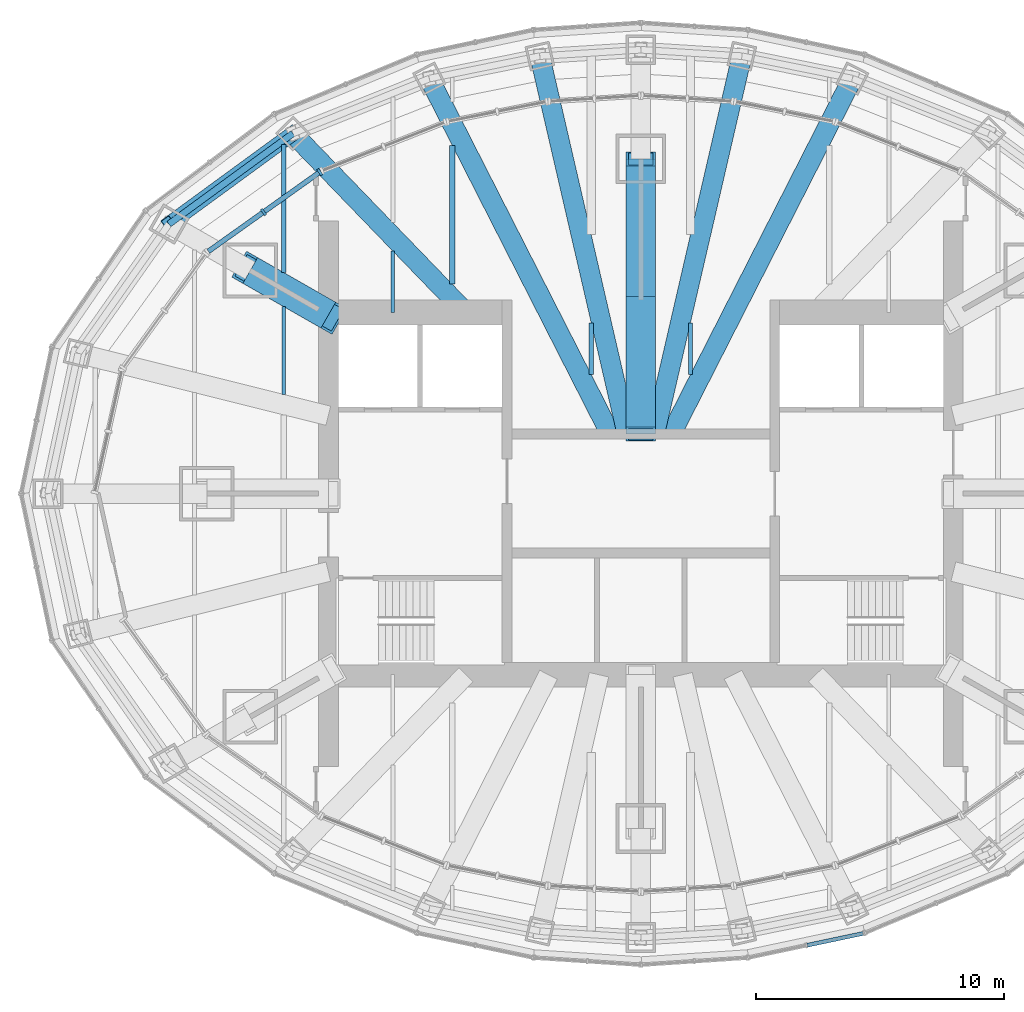
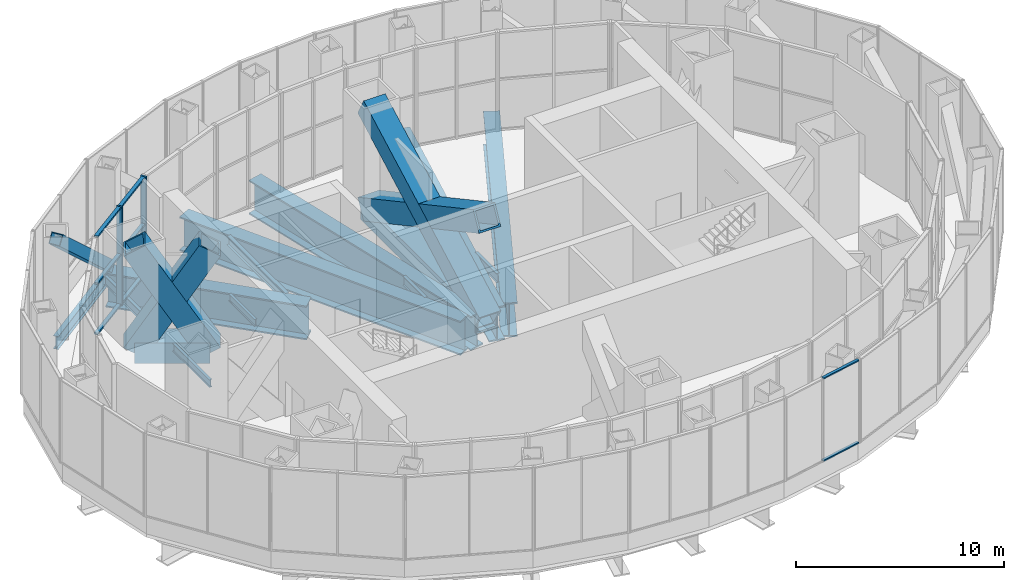
# One storey, part 6 of 21: 15 members, 14 beams, 2 elements without a shape of their own.
"""IFC4 building model written with IfcOpenShell, lengths in metres."""

from ifc_helpers import new_model, si_unit, direction, frame, origin, origin_2d, place, context, subcontext, project, spatial, rectangle, hollow_rectangle, i_section, extrude, material, material_profile, profile_set, type_object, element, aggregate, save


model = new_model("IFC4")

# Units and contexts
model_context = context("Model", 3, precision=1e-05, world=origin(), true_north=direction((0.0, 1.0)))
body_context = subcontext(model_context, "Body", "Model", "MODEL_VIEW")
ifc_project = project(units=[si_unit("LENGTHUNIT", "METRE"), si_unit("AREAUNIT", "SQUARE_METRE"), si_unit("VOLUMEUNIT", "CUBIC_METRE"), si_unit("PLANEANGLEUNIT", "RADIAN"), si_unit("MASSUNIT", "GRAM", prefix="KILO")], contexts=[model_context])

# Site, building, storey
site_placement = place(None, origin())
site = spatial("IfcSite", under=ifc_project, at=site_placement, CompositionType="ELEMENT")
building_placement = place(site_placement, origin())
building = spatial("IfcBuilding", under=site, at=building_placement, Name="Lantaw Convention Tower", CompositionType="ELEMENT")
storey_placement = place(building_placement, frame((0.0, 0.0, 284.39990234375)))
storey = spatial("IfcBuildingStorey", under=building, at=storey_placement, Name="L66", CompositionType="ELEMENT", Elevation=284.39990234375)

# Beams
ifc_material_1 = material(Name="Steel ASTM A992", Category="steel")
ifc_material_profile_1 = material_profile(ifc_material_1, i_section(OverallWidth=0.2666015625, OverallDepth=0.76953125, WebThickness=0.015625, FlangeThickness=0.025390625, FilletRadius=0.0126953125, at=origin_2d()), Name="W30X132")
ifc_profile_set_1 = profile_set([ifc_material_profile_1], Name="Steel ASTM A992")
beam_type_1 = type_object("IfcBeamType", Name="Beam E W30X132", PredefinedType="SPANDREL", material=ifc_profile_set_1)
beam_1_placement = place(storey_placement, frame((-14.027587890625, 14.526123046875, -0.584716796875), z_axis=(-0.807371616826, -0.59004328006, 0.0), x_axis=(0.59004328006, -0.807371616826, 0.0)))
element("IfcBeam", 1, at=beam_1_placement, inside=storey, type_object=beam_type_1, Name="Edge beam 10", PredefinedType="SPANDREL", context=body_context, shape_type="SweptSolid", body=[
    extrude(i_section(OverallWidth=0.2666015625, OverallDepth=0.76953125, WebThickness=0.015625, FlangeThickness=0.025390625, FilletRadius=0.0126953125, at=origin_2d()), origin(), (0.0, 0.0, 1.0), 6.192138671875),
])
ifc_material_2 = material(Name="Steel ASTM A572 Grade 50", Category="steel")
ifc_material_profile_2 = material_profile(ifc_material_2, i_section(OverallWidth=0.800048828125, OverallDepth=2.0, WebThickness=0.030029296875, FlangeThickness=0.080078125, at=origin_2d()), Name="PG2000X800X30X80")
ifc_profile_set_2 = profile_set([ifc_material_profile_2], Name="Steel ASTM A572 Grade 50")
beam_type_2 = type_object("IfcBeamType", Name="Beam HG PG2000X800X30X80", PredefinedType="BEAM", material=ifc_profile_set_2)
beam_2_placement = place(storey_placement, frame((1.222900390625, 2.39990234375, -1.199951171875), z_axis=(0.453985554173, 0.891009044063, 0.0), x_axis=(-0.891009044063, 0.453985554173, 0.0)))
element("IfcBeam", 2, at=beam_2_placement, inside=storey, type_object=beam_type_2, Name="Floor girder on ray 5", PredefinedType="BEAM", context=body_context, shape_type="SweptSolid", body=[
    extrude(i_section(OverallWidth=0.800048828125, OverallDepth=2.0, WebThickness=0.030029296875, FlangeThickness=0.080078125, at=origin_2d()), origin(), (0.0, 0.0, 1.0), 16.091796875),
])
for number, where, z_axis, x_axis, name in (
    (3, (0.55419921875, 2.39990234375, -1.199951171875), (0.22493929298, 0.974372780035, 0.0), (-0.974372780035, 0.22493929298, 0.0), "Floor girder on ray 6"),
    (4, (-0.55419921875, 2.39990234375, -1.199951171875), (-0.22493929298, 0.974372780035, 0.0), (-0.974372780035, -0.22493929298, 0.0), "Floor girder on ray 8"),
):
    element("IfcBeam", number, at=place(storey_placement, frame(where, z_axis=z_axis, x_axis=x_axis)), inside=storey, type_object=beam_type_2, Name=name, PredefinedType="BEAM", context=body_context, shape_type="SweptSolid", body=[
        extrude(i_section(OverallWidth=0.800048828125, OverallDepth=2.0, WebThickness=0.030029296875, FlangeThickness=0.080078125, at=origin_2d()), origin(), (0.0, 0.0, 1.0), 15.643310546875),
    ])
beam_3_placement = place(storey_placement, frame((-1.222900390625, 2.39990234375, -1.199951171875), z_axis=(-0.453985554173, 0.891009044063, 0.0), x_axis=(-0.891009044063, -0.453985554173, 0.0)))
element("IfcBeam", 5, at=beam_3_placement, inside=storey, type_object=beam_type_2, Name="Floor girder on ray 9", PredefinedType="BEAM", context=body_context, shape_type="SweptSolid", body=[
    extrude(i_section(OverallWidth=0.800048828125, OverallDepth=2.0, WebThickness=0.030029296875, FlangeThickness=0.080078125, at=origin_2d()), origin(), (0.0, 0.0, 1.0), 16.091796875),
])
beam_4_placement = place(storey_placement, frame((-7.049560546875, 7.300048828125, -1.199951171875), z_axis=(-0.694652631285, 0.71934534255, 0.0), x_axis=(-0.71934534255, -0.694652631285, 0.0)))
element("IfcBeam", 6, at=beam_4_placement, inside=storey, type_object=beam_type_2, Name="Floor girder on ray 10", PredefinedType="BEAM", context=body_context, shape_type="SweptSolid", body=[
    extrude(i_section(OverallWidth=0.800048828125, OverallDepth=2.0, WebThickness=0.030029296875, FlangeThickness=0.080078125, at=origin_2d()), origin(), (0.0, 0.0, 1.0), 10.04541015625),
])
ifc_material_profile_3 = material_profile(ifc_material_1, i_section(OverallWidth=0.140380859375, OverallDepth=0.40380859375, WebThickness=0.007080078125, FlangeThickness=0.01123046875, FilletRadius=0.01025390625, at=origin_2d()), Name="W16X31")
ifc_profile_set_3 = profile_set([ifc_material_profile_3], Name="Steel ASTM A992")
beam_type_3 = type_object("IfcBeamType", Name="Beam J W16X31", PredefinedType="JOIST", material=ifc_profile_set_3)
beam_5_placement = place(storey_placement, frame((-10.0, 7.300048828125, -0.40185546875), z_axis=(0.0, 1.0, 0.0), x_axis=(-1.0, 0.0, 0.0)))
element("IfcBeam", 7, at=beam_5_placement, inside=storey, type_object=beam_type_3, Name="Floor joist", PredefinedType="JOIST", context=body_context, shape_type="SweptSolid", body=[
    extrude(i_section(OverallWidth=0.140380859375, OverallDepth=0.40380859375, WebThickness=0.007080078125, FlangeThickness=0.01123046875, FilletRadius=0.01025390625, at=origin_2d()), origin(), (0.0, 0.0, 1.0), 2.4794921875),
])
ifc_material_profile_4 = material_profile(ifc_material_1, i_section(OverallWidth=0.15234375, OverallDepth=0.449462890625, WebThickness=0.007568359375, FlangeThickness=0.0107421875, FilletRadius=0.01025390625, at=origin_2d()), Name="W18X35")
ifc_profile_set_4 = profile_set([ifc_material_profile_4], Name="Steel ASTM A992")
beam_type_4 = type_object("IfcBeamType", Name="Beam J W18X35", PredefinedType="JOIST", material=ifc_profile_set_4)
beam_6_placement = place(storey_placement, frame((-14.39990234375, 4.002685546875, -0.4248046875), z_axis=(0.0, 1.0, 0.0), x_axis=(-1.0, 0.0, 0.0)))
element("IfcBeam", 8, at=beam_6_placement, inside=storey, type_object=beam_type_4, Name="Floor joist", PredefinedType="JOIST", context=body_context, shape_type="SweptSolid", body=[
    extrude(i_section(OverallWidth=0.15234375, OverallDepth=0.449462890625, WebThickness=0.007568359375, FlangeThickness=0.0107421875, FilletRadius=0.01025390625, at=origin_2d()), origin(), (0.0, 0.0, 1.0), 3.534912109375),
])
ifc_material_profile_5 = material_profile(ifc_material_1, i_section(OverallWidth=0.165771484375, OverallDepth=0.5283203125, WebThickness=0.009765625, FlangeThickness=0.013671875, FilletRadius=0.012939453125, at=origin_2d()), Name="W21X50")
ifc_profile_set_5 = profile_set([ifc_material_profile_5], Name="Steel ASTM A992")
beam_type_5 = type_object("IfcBeamType", Name="Beam J W21X50", PredefinedType="JOIST", material=ifc_profile_set_5)
beam_7_placement = place(storey_placement, frame((-14.39990234375, 8.919677734375, -0.464111328125), z_axis=(0.0, 1.0, 0.0), x_axis=(-1.0, 0.0, 0.0)))
element("IfcBeam", 9, at=beam_7_placement, inside=storey, type_object=beam_type_5, Name="Floor joist", PredefinedType="JOIST", context=body_context, shape_type="SweptSolid", body=[
    extrude(i_section(OverallWidth=0.165771484375, OverallDepth=0.5283203125, WebThickness=0.009765625, FlangeThickness=0.013671875, FilletRadius=0.012939453125, at=origin_2d()), origin(), (0.0, 0.0, 1.0), 5.169189453125),
])
for number, where, z_axis, x_axis, name in (
    (10, (-2.0, 4.806396484375, -0.464111328125), (0.0, 1.0, 0.0), (-1.0, 0.0, 0.0), "Floor joist"),
    (11, (2.0, 4.806396484375, -0.464111328125), (0.0, 1.0, 0.0), (-1.0, 0.0, 0.0), "Floor joist"),
):
    element("IfcBeam", number, at=place(storey_placement, frame(where, z_axis=z_axis, x_axis=x_axis)), inside=storey, type_object=beam_type_5, Name=name, PredefinedType="JOIST", context=body_context, shape_type="SweptSolid", body=[
        extrude(i_section(OverallWidth=0.165771484375, OverallDepth=0.5283203125, WebThickness=0.009765625, FlangeThickness=0.013671875, FilletRadius=0.012939453125, at=origin_2d()), origin(), (0.0, 0.0, 1.0), 2.078369140625),
    ])
ifc_material_profile_6 = material_profile(ifc_material_1, i_section(OverallWidth=0.209228515625, OverallDepth=0.533447265625, WebThickness=0.01025390625, FlangeThickness=0.015625, FilletRadius=0.012939453125, at=origin_2d()), Name="W21X62")
ifc_profile_set_6 = profile_set([ifc_material_profile_6], Name="Steel ASTM A992")
beam_type_6 = type_object("IfcBeamType", Name="Beam J W21X62", PredefinedType="JOIST", material=ifc_profile_set_6)
beam_8_placement = place(storey_placement, frame((-7.60009765625, 8.44580078125, -0.466552734375), z_axis=(0.0, 1.0, 0.0), x_axis=(-1.0, 0.0, 0.0)))
element("IfcBeam", 12, at=beam_8_placement, inside=storey, type_object=beam_type_6, Name="Floor joist", PredefinedType="JOIST", context=body_context, shape_type="SweptSolid", body=[
    extrude(i_section(OverallWidth=0.209228515625, OverallDepth=0.533447265625, WebThickness=0.01025390625, FlangeThickness=0.015625, FilletRadius=0.012939453125, at=origin_2d()), origin(), (0.0, 0.0, 1.0), 5.5888671875),
])
ifc_material_3 = material(Name="Steel EN 10025-3 S460N", Category="steel")
ifc_material_profile_7 = material_profile(ifc_material_3, hollow_rectangle(XDim=1.199951171875, YDim=1.199951171875, WallThickness=0.10009765625, at=origin_2d()), Name="BOX1200X100")
ifc_profile_set_7 = profile_set([ifc_material_profile_7], Name="Steel EN 10025-3 S460N")
beam_type_7 = type_object("IfcBeamType", Name="Beam OC BOX1200X100", PredefinedType="BEAM", material=ifc_profile_set_7)
beam_9_placement = place(storey_placement, frame((0.0, 2.39990234375, -0.7998046875), z_axis=(0.0, 1.0, 0.0), x_axis=(-1.0, 0.0, 0.0)))
element("IfcBeam", 13, at=beam_9_placement, inside=storey, type_object=beam_type_7, Name="Outrigger chord on ray 7", PredefinedType="BEAM", context=body_context, shape_type="SweptSolid", body=[
    extrude(hollow_rectangle(XDim=1.199951171875, YDim=1.199951171875, WallThickness=0.10009765625, at=origin_2d()), origin(), (0.0, 0.0, 1.0), 11.10009765625),
])
beam_10_placement = place(storey_placement, frame((-12.60009765625, 7.199951171875, -0.7998046875), z_axis=(-0.868230718294, 0.496160679428, 0.0), x_axis=(-0.496160679428, -0.868230718294, 0.0)))
element("IfcBeam", 14, at=beam_10_placement, inside=storey, type_object=beam_type_7, Name="Outrigger chord on ray 11", PredefinedType="BEAM", context=body_context, shape_type="SweptSolid", body=[
    extrude(hollow_rectangle(XDim=1.199951171875, YDim=1.199951171875, WallThickness=0.10009765625, at=origin_2d()), origin(), (0.0, 0.0, 1.0), 3.6279296875),
])

# Curtain wall, members
ifc_material_4 = material(Name="Aluminium framed curtain wall", Category="aluminium")
curtain_wall_type_1 = type_object("IfcCurtainWallType", Name="Lantern corner louvre curtain wall, pale aluminium", PredefinedType="USERDEFINED", material=ifc_material_4)
curtain_wall_1_placement = place(storey_placement, origin())
curtain_wall_1 = element("IfcCurtainWall", 15, at=curtain_wall_1_placement, inside=storey, type_object=curtain_wall_type_1, Name="Lantern corner louvre curtain wall, pale aluminium L66", ObjectType="LOUVRE WALL", PredefinedType="USERDEFINED")
ifc_material_5 = material(Name="Aluminium 6063-T6", Category="aluminium")
ifc_material_profile_8 = material_profile(ifc_material_5, rectangle(XDim=0.300048828125, YDim=0.10009765625, at=origin_2d()), Name="CW-LC mullion 100x300")
ifc_profile_set_8 = profile_set([ifc_material_profile_8], Name="Aluminium 6063-T6")
member_type_1 = type_object("IfcMemberType", Name="CW-LC mullion 100x300", PredefinedType="MULLION", material=ifc_profile_set_8)
member_1_placement = place(storey_placement, frame((-12.946533203125, 12.966552734375, 0.0), z_axis=(0.0, 0.0, 1.0), x_axis=(0.579683901346, -0.814841441337, 0.0)))
member_1 = element("IfcMember", 16, at=member_1_placement, type_object=member_type_1, Name="CW-LC mullion 1", PredefinedType="MULLION", context=body_context, shape_type="SweptSolid", body=[
    extrude(rectangle(XDim=0.300048828125, YDim=0.10009765625, at=origin_2d()), origin(), (0.0, 0.0, 1.0), 5.800048828125),
])
member_2_placement = place(storey_placement, frame((-15.212158203125, 11.354736328125, 0.0), z_axis=(0.0, 0.0, 1.0), x_axis=(0.579683901346, -0.814841441337, 0.0)))
member_2 = element("IfcMember", 17, at=member_2_placement, type_object=member_type_1, Name="CW-LC mullion 2", PredefinedType="MULLION", context=body_context, shape_type="SweptSolid", body=[
    extrude(rectangle(XDim=0.300048828125, YDim=0.10009765625, at=origin_2d()), origin(), (0.0, 0.0, 1.0), 5.800048828125),
])
ifc_material_profile_9 = material_profile(ifc_material_5, rectangle(XDim=0.199951171875, YDim=0.10009765625, at=origin_2d()), Name="CW-LC transom 100x200")
ifc_profile_set_9 = profile_set([ifc_material_profile_9], Name="Aluminium 6063-T6")
member_type_2 = type_object("IfcMemberType", Name="CW-LC transom 100x200", PredefinedType="USERDEFINED", material=ifc_profile_set_9)
member_3_placement = place(storey_placement, frame((-12.9873046875, 12.9375, 0.050048828125), z_axis=(-0.814852067311, -0.579668964495, 0.0), x_axis=(0.579668964495, -0.814852067311, 0.0)))
member_3 = element("IfcMember", 18, at=member_3_placement, type_object=member_type_2, Name="CW-LC transom 1.1", ObjectType="TRANSOM", PredefinedType="USERDEFINED", context=body_context, shape_type="SweptSolid", body=[
    extrude(rectangle(XDim=0.199951171875, YDim=0.10009765625, at=origin_2d()), origin(), (0.0, 0.0, 1.0), 2.680419921875),
])
member_4_placement = place(storey_placement, frame((-12.9873046875, 12.9375, 3.0), z_axis=(-0.814852067311, -0.579668964495, 0.0), x_axis=(0.579668964495, -0.814852067311, 0.0)))
member_4 = element("IfcMember", 19, at=member_4_placement, type_object=member_type_2, Name="CW-LC transom 1.2", ObjectType="TRANSOM", PredefinedType="USERDEFINED", context=body_context, shape_type="SweptSolid", body=[
    extrude(rectangle(XDim=0.199951171875, YDim=0.10009765625, at=origin_2d()), origin(), (0.0, 0.0, 1.0), 2.680419921875),
])
member_5_placement = place(storey_placement, frame((-12.9873046875, 12.9375, 5.75), z_axis=(-0.814852067311, -0.579668964495, 0.0), x_axis=(0.579668964495, -0.814852067311, 0.0)))
member_5 = element("IfcMember", 20, at=member_5_placement, type_object=member_type_2, Name="CW-LC transom 1.3", ObjectType="TRANSOM", PredefinedType="USERDEFINED", context=body_context, shape_type="SweptSolid", body=[
    extrude(rectangle(XDim=0.199951171875, YDim=0.10009765625, at=origin_2d()), origin(), (0.0, 0.0, 1.0), 2.680419921875),
])
member_6_placement = place(storey_placement, frame((-15.2529296875, 11.325927734375, 0.050048828125), z_axis=(-0.814809043546, -0.579729439098, 0.0), x_axis=(0.579729439098, -0.814809043546, 0.0)))
member_6 = element("IfcMember", 21, at=member_6_placement, type_object=member_type_2, Name="CW-LC transom 2.1", ObjectType="TRANSOM", PredefinedType="USERDEFINED", context=body_context, shape_type="SweptSolid", body=[
    extrude(rectangle(XDim=0.199951171875, YDim=0.10009765625, at=origin_2d()), origin(), (0.0, 0.0, 1.0), 2.680419921875),
])
member_7_placement = place(storey_placement, frame((-15.2529296875, 11.325927734375, 3.0), z_axis=(-0.814809043546, -0.579729439098, 0.0), x_axis=(0.579729439098, -0.814809043546, 0.0)))
member_7 = element("IfcMember", 22, at=member_7_placement, type_object=member_type_2, Name="CW-LC transom 2.2", ObjectType="TRANSOM", PredefinedType="USERDEFINED", context=body_context, shape_type="SweptSolid", body=[
    extrude(rectangle(XDim=0.199951171875, YDim=0.10009765625, at=origin_2d()), origin(), (0.0, 0.0, 1.0), 2.680419921875),
])
member_8_placement = place(storey_placement, frame((-15.2529296875, 11.325927734375, 5.75), z_axis=(-0.814809043546, -0.579729439098, 0.0), x_axis=(0.579729439098, -0.814809043546, 0.0)))
member_8 = element("IfcMember", 23, at=member_8_placement, type_object=member_type_2, Name="CW-LC transom 2.3", ObjectType="TRANSOM", PredefinedType="USERDEFINED", context=body_context, shape_type="SweptSolid", body=[
    extrude(rectangle(XDim=0.199951171875, YDim=0.10009765625, at=origin_2d()), origin(), (0.0, 0.0, 1.0), 2.680419921875),
])
aggregate(curtain_wall_1, [member_1, member_2, member_3, member_4, member_5, member_6, member_7, member_8])

curtain_wall_type_2 = type_object("IfcCurtainWallType", Name="Plant floor louvre wall, pale aluminium", PredefinedType="USERDEFINED", material=ifc_material_4)
curtain_wall_2_placement = place(storey_placement, origin())
curtain_wall_2 = element("IfcCurtainWall", 24, at=curtain_wall_2_placement, inside=storey, type_object=curtain_wall_type_2, Name="Plant floor louvre wall, pale aluminium L66", ObjectType="LOUVRE WALL", PredefinedType="USERDEFINED")
ifc_material_profile_10 = material_profile(ifc_material_5, rectangle(XDim=0.159912109375, YDim=0.070068359375, at=origin_2d()), Name="CW-LV transom 70x160")
ifc_profile_set_10 = profile_set([ifc_material_profile_10], Name="Aluminium 6063-T6")
member_type_3 = type_object("IfcMemberType", Name="CW-LV transom 70x160", PredefinedType="USERDEFINED", material=ifc_profile_set_10)
member_9_placement = place(storey_placement, frame((6.708251953125, -18.208740234375, 1.135009765625), z_axis=(0.978336479598, 0.207021092375, 0.0), x_axis=(-0.207021092375, 0.978336479598, 0.0)))
member_9 = element("IfcMember", 25, at=member_9_placement, type_object=member_type_3, Name="CW-LV transom 2.1", ObjectType="TRANSOM", PredefinedType="USERDEFINED", context=body_context, shape_type="SweptSolid", body=[
    extrude(rectangle(XDim=0.159912109375, YDim=0.070068359375, at=origin_2d()), origin(), (0.0, 0.0, 1.0), 2.30078125),
])
member_10_placement = place(storey_placement, frame((6.708251953125, -18.208740234375, 5.965087890625), z_axis=(0.978336479598, 0.207021092375, 0.0), x_axis=(-0.207021092375, 0.978336479598, 0.0)))
member_10 = element("IfcMember", 26, at=member_10_placement, type_object=member_type_3, Name="CW-LV transom 2.2", ObjectType="TRANSOM", PredefinedType="USERDEFINED", context=body_context, shape_type="SweptSolid", body=[
    extrude(rectangle(XDim=0.159912109375, YDim=0.070068359375, at=origin_2d()), origin(), (0.0, 0.0, 1.0), 2.30078125),
])
aggregate(curtain_wall_2, [member_9, member_10])

# Members
ifc_material_profile_11 = material_profile(ifc_material_2, hollow_rectangle(XDim=0.60009765625, YDim=0.60009765625, WallThickness=0.031982421875, at=origin_2d()), Name="BOX600X32")
ifc_profile_set_11 = profile_set([ifc_material_profile_11], Name="Steel ASTM A572 Grade 50")
member_type_4 = type_object("IfcMemberType", Name="Member CR BOX600X32", PredefinedType="BRACE", material=ifc_profile_set_11)
member_11_placement = place(storey_placement, frame((-14.027587890625, 14.526123046875, -0.005859375), z_axis=(-0.603631856816, -0.441146199993, 0.664092321646), x_axis=(0.59004328006, -0.807371616826, 0.0)))
element("IfcMember", 27, at=member_11_placement, inside=storey, type_object=member_type_4, Name="Crown ring truss diagonal 10", PredefinedType="BRACE", context=body_context, shape_type="SweptSolid", body=[
    extrude(hollow_rectangle(XDim=0.60009765625, YDim=0.60009765625, WallThickness=0.031982421875, at=origin_2d()), origin(), (0.0, 0.0, 1.0), 8.281982421875),
])
ifc_material_profile_12 = material_profile(ifc_material_3, hollow_rectangle(XDim=1.199951171875, YDim=1.199951171875, WallThickness=0.10009765625, at=origin_2d()), Name="BOX1200X100")
ifc_profile_set_12 = profile_set([ifc_material_profile_12], Name="Steel EN 10025-3 S460N")
member_type_5 = type_object("IfcMemberType", Name="Member OT BOX1200X100", PredefinedType="BRACE", material=ifc_profile_set_12)
for number, where, z_axis, x_axis, name in (
    (28, (0.0, 2.39990234375, -0.7998046875), (0.0, 0.879708263594, 0.475513796817), (-1.0, 0.0, 0.0), "Hat truss diagonal 7"),
    (29, (0.0, 2.39990234375, 5.2001953125), (0.0, 0.879708263594, -0.475513796817), (-1.0, 0.0, 0.0), "Hat truss diagonal 7 (reverse)"),
):
    element("IfcMember", number, at=place(storey_placement, frame(where, z_axis=z_axis, x_axis=x_axis)), inside=storey, type_object=member_type_5, Name=name, PredefinedType="BRACE", context=body_context, shape_type="SweptSolid", body=[
        extrude(hollow_rectangle(XDim=1.199951171875, YDim=1.199951171875, WallThickness=0.10009765625, at=origin_2d()), origin(), (0.0, 0.0, 1.0), 12.617919921875),
    ])
for number, where, z_axis, x_axis, name in (
    (30, (-12.60009765625, 7.199951171875, -0.7998046875), (-0.449243757312, 0.256725641192, 0.855728924175), (-0.496160679428, -0.868230718294, 0.0), "Hat truss diagonal 11"),
    (31, (-12.60009765625, 7.199951171875, 5.2001953125), (-0.449243757312, 0.256725641192, -0.855728924175), (-0.496160679428, -0.868230718294, 0.0), "Hat truss diagonal 11 (reverse)"),
):
    element("IfcMember", number, at=place(storey_placement, frame(where, z_axis=z_axis, x_axis=x_axis)), inside=storey, type_object=member_type_5, Name=name, PredefinedType="BRACE", context=body_context, shape_type="SweptSolid", body=[
        extrude(hollow_rectangle(XDim=1.199951171875, YDim=1.199951171875, WallThickness=0.10009765625, at=origin_2d()), origin(), (0.0, 0.0, 1.0), 7.011474609375),
    ])

save(model, "model.ifc")
